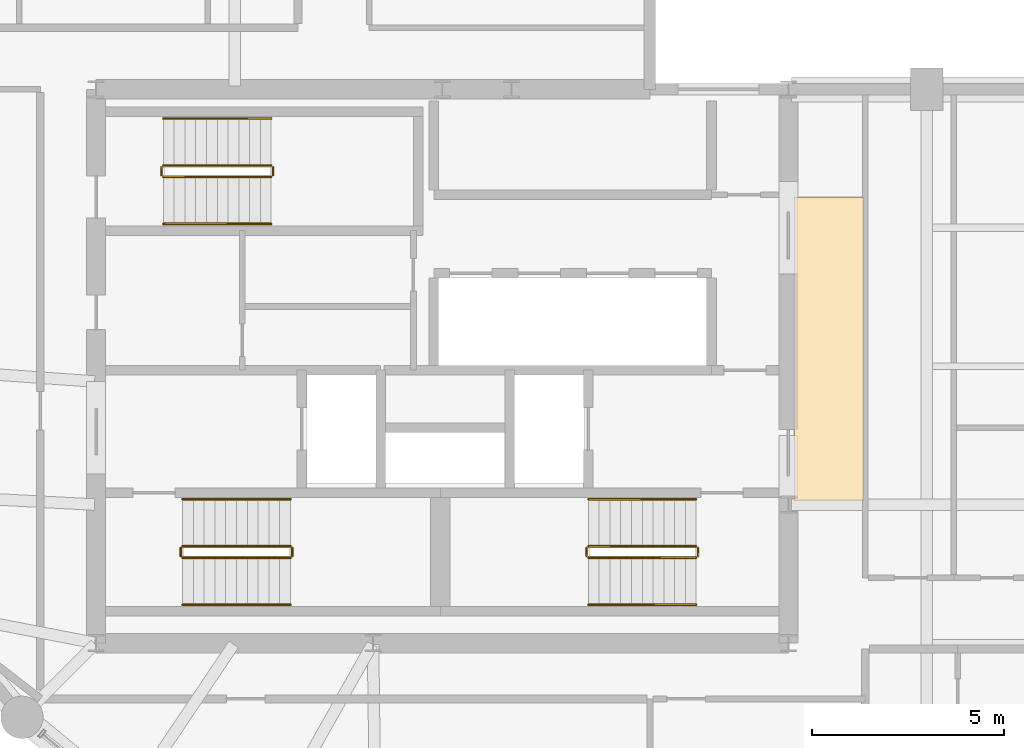
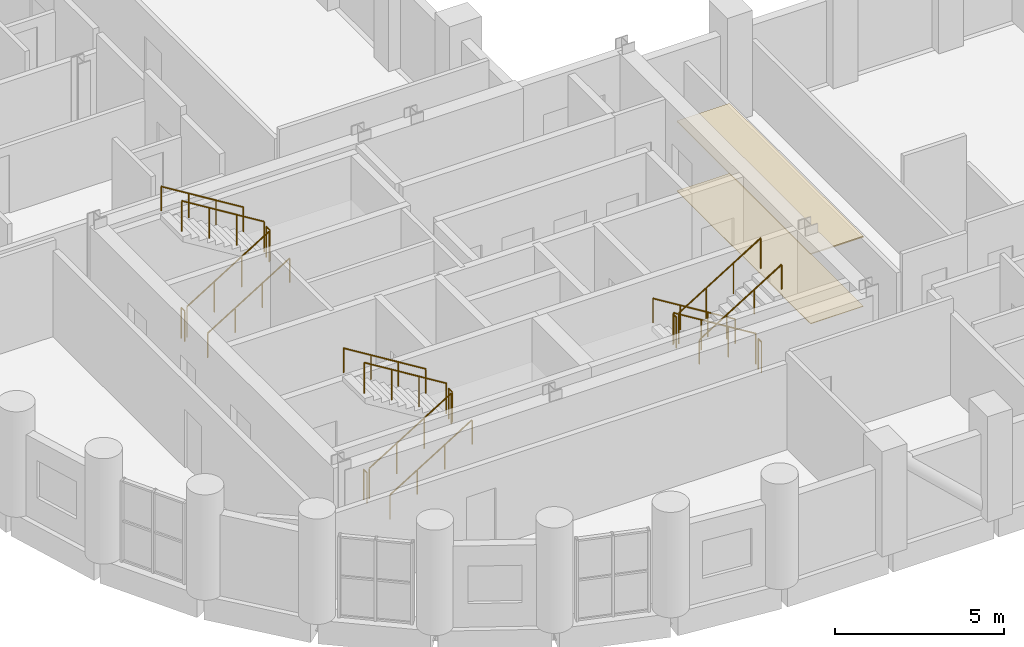
# One storey, part 13 of 13: 18 railings, 2 coverings.
"""IFC4 building model written with IfcOpenShell, lengths in metres."""

from ifc_helpers import new_model, si_unit, direction, frame, origin, origin_2d, place, context, subcontext, project, spatial, polyline, circle, outline, extrude, material, layer, layer_set, type_object, element, save


model = new_model("IFC4")

# Units and contexts
model_context = context("Model", 3, precision=1e-05, world=origin(), true_north=direction((0.0, 1.0)))
body_context = subcontext(model_context, "Body", "Model", "MODEL_VIEW")
ifc_project = project(units=[si_unit("LENGTHUNIT", "METRE"), si_unit("AREAUNIT", "SQUARE_METRE"), si_unit("VOLUMEUNIT", "CUBIC_METRE"), si_unit("PLANEANGLEUNIT", "RADIAN"), si_unit("MASSUNIT", "GRAM", prefix="KILO")], contexts=[model_context])

# Site, building, storey
site_placement = place(None, origin())
site = spatial("IfcSite", under=ifc_project, at=site_placement, CompositionType="ELEMENT")
building_placement = place(site_placement, origin())
building = spatial("IfcBuilding", under=site, at=building_placement, Name="Solnavia Interchange Tower", CompositionType="ELEMENT")
storey_placement = place(building_placement, frame((0.0, 0.0, 123.800048828125)))
storey = spatial("IfcBuildingStorey", under=building, at=storey_placement, Name="L30", CompositionType="ELEMENT", Elevation=123.800048828125)

# Coverings
ifc_material_1 = material(Name="Perforated Mineral-Fibre & Gypsum Ceiling", Category="gypsum")
ifc_layer_1 = layer(ifc_material_1, 0.0400390625)
ifc_layer_set_1 = layer_set([ifc_layer_1], Name="Perforated Mineral-Fibre & Gypsum Ceiling")
covering_type_1 = type_object("IfcCoveringType", Name="Covering-Ceiling-Acoustic40", PredefinedType="CEILING", material=ifc_layer_set_1)
covering_1_placement = place(storey_placement, frame((0.0, 0.0, 2.5)))
element("IfcCovering", 1, at=covering_1_placement, inside=storey, type_object=covering_type_1, Name="CLG-L30-01 Circulation suspended acoustic ceiling", PredefinedType="CEILING", context=body_context, shape_type="SweptSolid", body=[
    extrude(outline(polyline([(32.550048828125, 14.5), (34.35009765625, 14.5), (34.35009765625, 22.39990234375), (32.550048828125, 22.39990234375), (32.550048828125, 14.5)])), origin(), (0.0, 0.0, 1.0), 0.0400390625),
])
ifc_material_2 = material(Name="Engineered European Oak Flooring", Category="wood")
ifc_layer_2 = layer(ifc_material_2, 0.02001953125)
ifc_layer_set_2 = layer_set([ifc_layer_2], Name="Engineered European Oak Flooring")
covering_type_2 = type_object("IfcCoveringType", Name="Covering-Flooring-Timber20", PredefinedType="FLOORING", material=ifc_layer_set_2)
covering_2_placement = place(storey_placement, origin())
element("IfcCovering", 2, at=covering_2_placement, inside=storey, type_object=covering_type_2, Name="FLR-L30-01 Circulation floor finish", PredefinedType="FLOORING", context=body_context, shape_type="SweptSolid", body=[
    extrude(outline(polyline([(32.550048828125, 14.5), (34.35009765625, 14.5), (34.35009765625, 22.39990234375), (32.550048828125, 22.39990234375), (32.550048828125, 14.5)])), origin(), (0.0, 0.0, 1.0), 0.02001953125),
])

# Railings
ifc_material_3 = material(Name="Painted Steel Balustrade", Category="steel")
railing_type_1 = type_object("IfcRailingType", Name="Railing-StairGuard-1100", PredefinedType="GUARDRAIL", material=ifc_material_3)
railing_1_placement = place(storey_placement, frame((16.64990234375, 13.02001953125, 0.172607421875)))
element("IfcRailing", 3, at=railing_1_placement, inside=storey, type_object=railing_type_1, Name="L30 ST-1 stair guard 1", PredefinedType="GUARDRAIL", context=body_context, shape_type="SweptSolid", body=[
    extrude(circle(Radius=0.02392578125, at=origin_2d()), frame((0.0, 0.0, 1.09619140625), z_axis=(0.851089632645, 0.0, 0.525020415988), x_axis=(0.0, 1.0, 0.0)), (0.0, 0.0, 1.0), 3.2900390625),
    extrude(circle(Radius=0.02099609375, at=origin_2d()), origin(), (0.0, 0.0, 1.0), 1.072021484375),
    extrude(circle(Radius=0.02099609375, at=origin_2d()), frame((0.933349609375, 0.0, 0.57568359375)), (0.0, 0.0, 1.0), 1.072021484375),
    extrude(circle(Radius=0.02099609375, at=origin_2d()), frame((1.86669921875, 0.0, 1.151611328125)), (0.0, 0.0, 1.0), 1.072021484375),
    extrude(circle(Radius=0.02099609375, at=origin_2d()), frame((2.800048828125, 0.0, 1.727294921875)), (0.0, 0.0, 1.0), 1.072021484375),
])
railing_2_placement = place(storey_placement, frame((19.5, 13.070068359375, 1.89990234375)))
element("IfcRailing", 4, at=railing_2_placement, inside=storey, type_object=railing_type_1, Name="L30 ST-1 stair guard 2", PredefinedType="GUARDRAIL", context=body_context, shape_type="SweptSolid", body=[
    extrude(circle(Radius=0.02392578125, at=origin_2d()), frame((0.0, 0.0, 1.09619140625), z_axis=(0.0, 1.0, 0.0), x_axis=(-1.0, 0.0, 0.0)), (0.0, 0.0, 1.0), 0.199951171875),
    extrude(circle(Radius=0.02099609375, at=origin_2d()), origin(), (0.0, 0.0, 1.0), 1.072021484375),
    extrude(circle(Radius=0.02099609375, at=origin_2d()), frame((0.0, 0.199951171875, 0.0)), (0.0, 0.0, 1.0), 1.072021484375),
])
railing_3_placement = place(storey_placement, frame((19.449951171875, 13.320068359375, 2.07275390625)))
element("IfcRailing", 5, at=railing_3_placement, inside=storey, type_object=railing_type_1, Name="L30 ST-1 stair guard 3", PredefinedType="GUARDRAIL", context=body_context, shape_type="SweptSolid", body=[
    extrude(circle(Radius=0.02392578125, at=origin_2d()), frame((0.0, 0.0, 1.09619140625), z_axis=(-0.851089632645, 0.0, 0.525020415988), x_axis=(0.0, -1.0, 0.0)), (0.0, 0.0, 1.0), 3.2900390625),
    extrude(circle(Radius=0.02099609375, at=origin_2d()), origin(), (0.0, 0.0, 1.0), 1.072021484375),
    extrude(circle(Radius=0.02099609375, at=origin_2d()), frame((-0.933349609375, 0.0, 0.57568359375)), (0.0, 0.0, 1.0), 1.072021484375),
    extrude(circle(Radius=0.02099609375, at=origin_2d()), frame((-1.86669921875, 0.0, 1.151611328125)), (0.0, 0.0, 1.0), 1.072021484375),
    extrude(circle(Radius=0.02099609375, at=origin_2d()), frame((-2.800048828125, 0.0, 1.727294921875)), (0.0, 0.0, 1.0), 1.072021484375),
])
railing_4_placement = place(storey_placement, frame((16.60009765625, 13.070068359375, 0.0)))
element("IfcRailing", 6, at=railing_4_placement, inside=storey, type_object=railing_type_1, Name="L30 ST-1 stair guard 4", PredefinedType="GUARDRAIL", context=body_context, shape_type="SweptSolid", body=[
    extrude(circle(Radius=0.02392578125, at=origin_2d()), frame((0.0, 0.0, 1.09619140625), z_axis=(0.0, 1.0, 0.0), x_axis=(-1.0, 0.0, 0.0)), (0.0, 0.0, 1.0), 0.199951171875),
    extrude(circle(Radius=0.02099609375, at=origin_2d()), origin(), (0.0, 0.0, 1.0), 1.072021484375),
    extrude(circle(Radius=0.02099609375, at=origin_2d()), frame((0.0, 0.199951171875, 0.0)), (0.0, 0.0, 1.0), 1.072021484375),
])
railing_5_placement = place(storey_placement, frame((30.0, 13.320068359375, 0.172607421875)))
element("IfcRailing", 7, at=railing_5_placement, inside=storey, type_object=railing_type_1, Name="L30 ST-2 stair guard 1", PredefinedType="GUARDRAIL", context=body_context, shape_type="SweptSolid", body=[
    extrude(circle(Radius=0.02392578125, at=origin_2d()), frame((0.0, 0.0, 1.09619140625), z_axis=(-0.851089632645, 0.0, 0.525020415988), x_axis=(0.0, -1.0, 0.0)), (0.0, 0.0, 1.0), 3.2900390625),
    extrude(circle(Radius=0.02099609375, at=origin_2d()), origin(), (0.0, 0.0, 1.0), 1.072021484375),
    extrude(circle(Radius=0.02099609375, at=origin_2d()), frame((-0.933349609375, 0.0, 0.57568359375)), (0.0, 0.0, 1.0), 1.072021484375),
    extrude(circle(Radius=0.02099609375, at=origin_2d()), frame((-1.86669921875, 0.0, 1.151611328125)), (0.0, 0.0, 1.0), 1.072021484375),
    extrude(circle(Radius=0.02099609375, at=origin_2d()), frame((-2.800048828125, 0.0, 1.727294921875)), (0.0, 0.0, 1.0), 1.072021484375),
])
railing_6_placement = place(storey_placement, frame((27.14990234375, 13.27001953125, 1.89990234375)))
element("IfcRailing", 8, at=railing_6_placement, inside=storey, type_object=railing_type_1, Name="L30 ST-2 stair guard 2", PredefinedType="GUARDRAIL", context=body_context, shape_type="SweptSolid", body=[
    extrude(circle(Radius=0.02392578125, at=origin_2d()), frame((0.0, 0.0, 1.09619140625), z_axis=(0.0, -1.0, 0.0), x_axis=(1.0, 0.0, 0.0)), (0.0, 0.0, 1.0), 0.199951171875),
    extrude(circle(Radius=0.02099609375, at=origin_2d()), origin(), (0.0, 0.0, 1.0), 1.072021484375),
    extrude(circle(Radius=0.02099609375, at=origin_2d()), frame((0.0, -0.199951171875, 0.0)), (0.0, 0.0, 1.0), 1.072021484375),
])
railing_7_placement = place(storey_placement, frame((27.199951171875, 13.02001953125, 2.07275390625)))
element("IfcRailing", 9, at=railing_7_placement, inside=storey, type_object=railing_type_1, Name="L30 ST-2 stair guard 3", PredefinedType="GUARDRAIL", context=body_context, shape_type="SweptSolid", body=[
    extrude(circle(Radius=0.02392578125, at=origin_2d()), frame((0.0, 0.0, 1.09619140625), z_axis=(0.851089632645, 0.0, 0.525020415988), x_axis=(0.0, 1.0, 0.0)), (0.0, 0.0, 1.0), 3.2900390625),
    extrude(circle(Radius=0.02099609375, at=origin_2d()), origin(), (0.0, 0.0, 1.0), 1.072021484375),
    extrude(circle(Radius=0.02099609375, at=origin_2d()), frame((0.933349609375, 0.0, 0.57568359375)), (0.0, 0.0, 1.0), 1.072021484375),
    extrude(circle(Radius=0.02099609375, at=origin_2d()), frame((1.86669921875, 0.0, 1.151611328125)), (0.0, 0.0, 1.0), 1.072021484375),
    extrude(circle(Radius=0.02099609375, at=origin_2d()), frame((2.800048828125, 0.0, 1.727294921875)), (0.0, 0.0, 1.0), 1.072021484375),
])
railing_8_placement = place(storey_placement, frame((30.050048828125, 13.27001953125, 0.0)))
element("IfcRailing", 10, at=railing_8_placement, inside=storey, type_object=railing_type_1, Name="L30 ST-2 stair guard 4", PredefinedType="GUARDRAIL", context=body_context, shape_type="SweptSolid", body=[
    extrude(circle(Radius=0.02392578125, at=origin_2d()), frame((0.0, 0.0, 1.09619140625), z_axis=(0.0, -1.0, 0.0), x_axis=(1.0, 0.0, 0.0)), (0.0, 0.0, 1.0), 0.199951171875),
    extrude(circle(Radius=0.02099609375, at=origin_2d()), origin(), (0.0, 0.0, 1.0), 1.072021484375),
    extrude(circle(Radius=0.02099609375, at=origin_2d()), frame((0.0, -0.199951171875, 0.0)), (0.0, 0.0, 1.0), 1.072021484375),
])
railing_9_placement = place(storey_placement, frame((16.14990234375, 22.919921875, 0.172607421875)))
element("IfcRailing", 11, at=railing_9_placement, inside=storey, type_object=railing_type_1, Name="L30 ST-3 stair guard 1", PredefinedType="GUARDRAIL", context=body_context, shape_type="SweptSolid", body=[
    extrude(circle(Radius=0.02392578125, at=origin_2d()), frame((0.0, 0.0, 1.09619140625), z_axis=(0.851089632645, 0.0, 0.525020415988), x_axis=(0.0, 1.0, 0.0)), (0.0, 0.0, 1.0), 3.2900390625),
    extrude(circle(Radius=0.02099609375, at=origin_2d()), origin(), (0.0, 0.0, 1.0), 1.072021484375),
    extrude(circle(Radius=0.02099609375, at=origin_2d()), frame((0.933349609375, 0.0, 0.57568359375)), (0.0, 0.0, 1.0), 1.072021484375),
    extrude(circle(Radius=0.02099609375, at=origin_2d()), frame((1.86669921875, 0.0, 1.151611328125)), (0.0, 0.0, 1.0), 1.072021484375),
    extrude(circle(Radius=0.02099609375, at=origin_2d()), frame((2.800048828125, 0.0, 1.727294921875)), (0.0, 0.0, 1.0), 1.072021484375),
])
railing_10_placement = place(storey_placement, frame((19.0, 22.969970703125, 1.89990234375)))
element("IfcRailing", 12, at=railing_10_placement, inside=storey, type_object=railing_type_1, Name="L30 ST-3 stair guard 2", PredefinedType="GUARDRAIL", context=body_context, shape_type="SweptSolid", body=[
    extrude(circle(Radius=0.02392578125, at=origin_2d()), frame((0.0, 0.0, 1.09619140625), z_axis=(0.0, 1.0, 0.0), x_axis=(-1.0, 0.0, 0.0)), (0.0, 0.0, 1.0), 0.199951171875),
    extrude(circle(Radius=0.02099609375, at=origin_2d()), origin(), (0.0, 0.0, 1.0), 1.072021484375),
    extrude(circle(Radius=0.02099609375, at=origin_2d()), frame((0.0, 0.199951171875, 0.0)), (0.0, 0.0, 1.0), 1.072021484375),
])
railing_11_placement = place(storey_placement, frame((18.949951171875, 23.219970703125, 2.07275390625)))
element("IfcRailing", 13, at=railing_11_placement, inside=storey, type_object=railing_type_1, Name="L30 ST-3 stair guard 3", PredefinedType="GUARDRAIL", context=body_context, shape_type="SweptSolid", body=[
    extrude(circle(Radius=0.02392578125, at=origin_2d()), frame((0.0, 0.0, 1.09619140625), z_axis=(-0.851089632645, 0.0, 0.525020415988), x_axis=(0.0, -1.0, 0.0)), (0.0, 0.0, 1.0), 3.2900390625),
    extrude(circle(Radius=0.02099609375, at=origin_2d()), origin(), (0.0, 0.0, 1.0), 1.072021484375),
    extrude(circle(Radius=0.02099609375, at=origin_2d()), frame((-0.933349609375, 0.0, 0.57568359375)), (0.0, 0.0, 1.0), 1.072021484375),
    extrude(circle(Radius=0.02099609375, at=origin_2d()), frame((-1.86669921875, 0.0, 1.151611328125)), (0.0, 0.0, 1.0), 1.072021484375),
    extrude(circle(Radius=0.02099609375, at=origin_2d()), frame((-2.800048828125, 0.0, 1.727294921875)), (0.0, 0.0, 1.0), 1.072021484375),
])
railing_12_placement = place(storey_placement, frame((16.10009765625, 22.969970703125, 0.0)))
element("IfcRailing", 14, at=railing_12_placement, inside=storey, type_object=railing_type_1, Name="L30 ST-3 stair guard 4", PredefinedType="GUARDRAIL", context=body_context, shape_type="SweptSolid", body=[
    extrude(circle(Radius=0.02392578125, at=origin_2d()), frame((0.0, 0.0, 1.09619140625), z_axis=(0.0, 1.0, 0.0), x_axis=(-1.0, 0.0, 0.0)), (0.0, 0.0, 1.0), 0.199951171875),
    extrude(circle(Radius=0.02099609375, at=origin_2d()), origin(), (0.0, 0.0, 1.0), 1.072021484375),
    extrude(circle(Radius=0.02099609375, at=origin_2d()), frame((0.0, 0.199951171875, 0.0)), (0.0, 0.0, 1.0), 1.072021484375),
])
ifc_material_4 = material(Name="Brushed Stainless Steel", Category="steel")
railing_type_2 = type_object("IfcRailingType", Name="Railing-StairHandrail-900", PredefinedType="HANDRAIL", material=ifc_material_4)
railing_13_placement = place(storey_placement, frame((16.64990234375, 11.800048828125, 0.172607421875)))
element("IfcRailing", 15, at=railing_13_placement, inside=storey, type_object=railing_type_2, Name="L30 ST-1 stair handrail 1", PredefinedType="HANDRAIL", context=body_context, shape_type="SweptSolid", body=[
    extrude(circle(Radius=0.02392578125, at=origin_2d()), frame((0.0, 0.0, 0.8759765625), z_axis=(0.851089632645, 0.0, 0.525020415988), x_axis=(0.0, 1.0, 0.0)), (0.0, 0.0, 1.0), 3.2900390625),
    extrude(circle(Radius=0.02099609375, at=origin_2d()), origin(), (0.0, 0.0, 1.0), 0.851806640625),
    extrude(circle(Radius=0.02099609375, at=origin_2d()), frame((0.933349609375, 0.0, 0.57568359375)), (0.0, 0.0, 1.0), 0.851806640625),
    extrude(circle(Radius=0.02099609375, at=origin_2d()), frame((1.86669921875, 0.0, 1.151611328125)), (0.0, 0.0, 1.0), 0.851806640625),
    extrude(circle(Radius=0.02099609375, at=origin_2d()), frame((2.800048828125, 0.0, 1.727294921875)), (0.0, 0.0, 1.0), 0.851806640625),
])
for number, where, name in (
    (16, (19.449951171875, 14.5400390625, 2.07275390625), "L30 ST-1 stair handrail 2"),
    (17, (30.0, 14.5400390625, 0.172607421875), "L30 ST-2 stair handrail 1"),
):
    element("IfcRailing", number, at=place(storey_placement, frame(where)), inside=storey, type_object=railing_type_2, Name=name, PredefinedType="HANDRAIL", context=body_context, shape_type="SweptSolid", body=[
        extrude(circle(Radius=0.02392578125, at=origin_2d()), frame((0.0, 0.0, 0.8759765625), z_axis=(-0.851089632645, 0.0, 0.525020415988), x_axis=(0.0, -1.0, 0.0)), (0.0, 0.0, 1.0), 3.2900390625),
        extrude(circle(Radius=0.02099609375, at=origin_2d()), origin(), (0.0, 0.0, 1.0), 0.851806640625),
        extrude(circle(Radius=0.02099609375, at=origin_2d()), frame((-0.933349609375, 0.0, 0.57568359375)), (0.0, 0.0, 1.0), 0.851806640625),
        extrude(circle(Radius=0.02099609375, at=origin_2d()), frame((-1.86669921875, 0.0, 1.151611328125)), (0.0, 0.0, 1.0), 0.851806640625),
        extrude(circle(Radius=0.02099609375, at=origin_2d()), frame((-2.800048828125, 0.0, 1.727294921875)), (0.0, 0.0, 1.0), 0.851806640625),
    ])
for number, where, name in (
    (18, (27.199951171875, 11.800048828125, 2.07275390625), "L30 ST-2 stair handrail 2"),
    (19, (16.14990234375, 21.699951171875, 0.172607421875), "L30 ST-3 stair handrail 1"),
):
    element("IfcRailing", number, at=place(storey_placement, frame(where)), inside=storey, type_object=railing_type_2, Name=name, PredefinedType="HANDRAIL", context=body_context, shape_type="SweptSolid", body=[
        extrude(circle(Radius=0.02392578125, at=origin_2d()), frame((0.0, 0.0, 0.8759765625), z_axis=(0.851089632645, 0.0, 0.525020415988), x_axis=(0.0, 1.0, 0.0)), (0.0, 0.0, 1.0), 3.2900390625),
        extrude(circle(Radius=0.02099609375, at=origin_2d()), origin(), (0.0, 0.0, 1.0), 0.851806640625),
        extrude(circle(Radius=0.02099609375, at=origin_2d()), frame((0.933349609375, 0.0, 0.57568359375)), (0.0, 0.0, 1.0), 0.851806640625),
        extrude(circle(Radius=0.02099609375, at=origin_2d()), frame((1.86669921875, 0.0, 1.151611328125)), (0.0, 0.0, 1.0), 0.851806640625),
        extrude(circle(Radius=0.02099609375, at=origin_2d()), frame((2.800048828125, 0.0, 1.727294921875)), (0.0, 0.0, 1.0), 0.851806640625),
    ])
railing_14_placement = place(storey_placement, frame((18.949951171875, 24.43994140625, 2.07275390625)))
element("IfcRailing", 20, at=railing_14_placement, inside=storey, type_object=railing_type_2, Name="L30 ST-3 stair handrail 2", PredefinedType="HANDRAIL", context=body_context, shape_type="SweptSolid", body=[
    extrude(circle(Radius=0.02392578125, at=origin_2d()), frame((0.0, 0.0, 0.8759765625), z_axis=(-0.851089632645, 0.0, 0.525020415988), x_axis=(0.0, -1.0, 0.0)), (0.0, 0.0, 1.0), 3.2900390625),
    extrude(circle(Radius=0.02099609375, at=origin_2d()), origin(), (0.0, 0.0, 1.0), 0.851806640625),
    extrude(circle(Radius=0.02099609375, at=origin_2d()), frame((-0.933349609375, 0.0, 0.57568359375)), (0.0, 0.0, 1.0), 0.851806640625),
    extrude(circle(Radius=0.02099609375, at=origin_2d()), frame((-1.86669921875, 0.0, 1.151611328125)), (0.0, 0.0, 1.0), 0.851806640625),
    extrude(circle(Radius=0.02099609375, at=origin_2d()), frame((-2.800048828125, 0.0, 1.727294921875)), (0.0, 0.0, 1.0), 0.851806640625),
])

save(model, "model.ifc")
